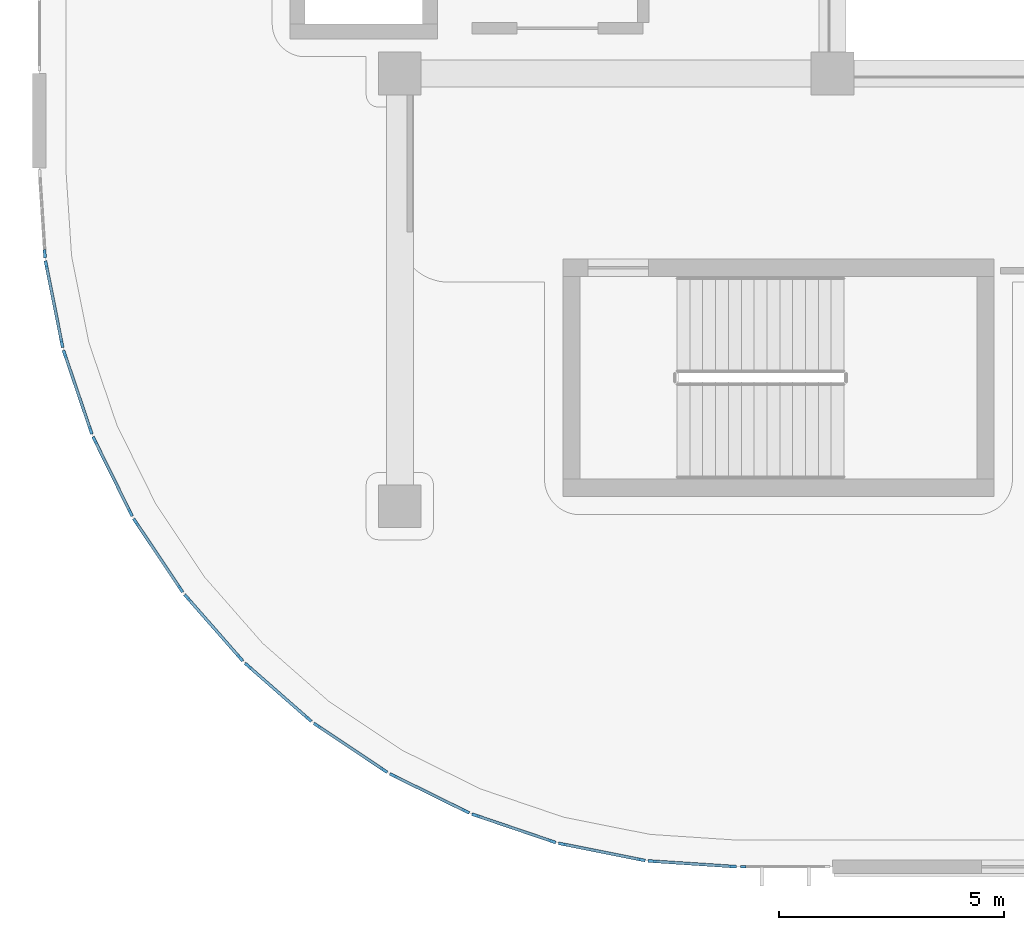
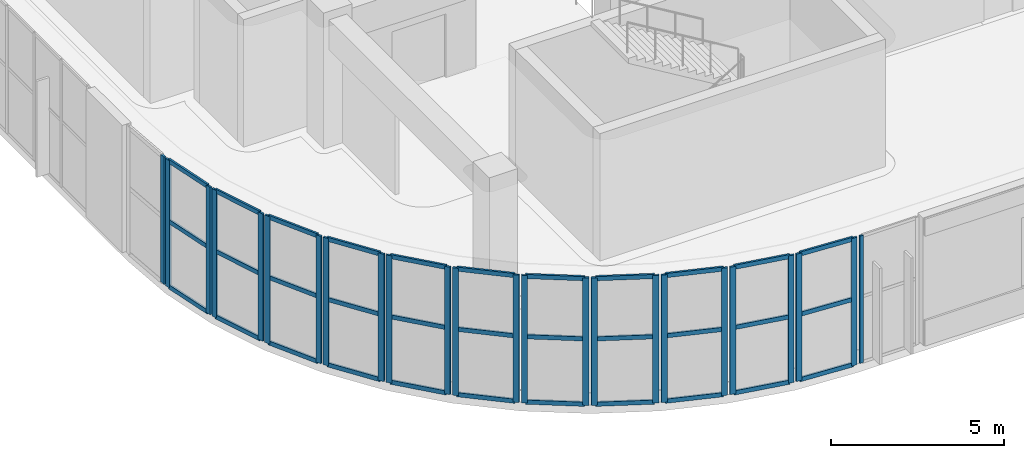
# One storey, part 4 of 86: 57 members, 13 elements without a shape of their own.
"""IFC4 building model written with IfcOpenShell, lengths in metres."""

from ifc_helpers import new_model, si_unit, direction, frame, origin, origin_2d, place, context, subcontext, project, spatial, rectangle, extrude, material, layer, layer_set, material_profile, profile_set, type_object, element, aggregate, save


model = new_model("IFC4")

# Units and contexts
model_context = context("Model", 3, precision=1e-05, world=origin(), true_north=direction((0.0, 1.0)))
body_context = subcontext(model_context, "Body", "Model", "MODEL_VIEW")
ifc_project = project(units=[si_unit("LENGTHUNIT", "METRE"), si_unit("AREAUNIT", "SQUARE_METRE"), si_unit("VOLUMEUNIT", "CUBIC_METRE"), si_unit("PLANEANGLEUNIT", "RADIAN"), si_unit("MASSUNIT", "GRAM", prefix="KILO")], contexts=[model_context])

# Site, building, storey
site_placement = place(None, origin())
site = spatial("IfcSite", under=ifc_project, at=site_placement, CompositionType="ELEMENT")
building_placement = place(site_placement, origin())
building = spatial("IfcBuilding", under=site, at=building_placement, Name="Cendralis Terraced Arcade", CompositionType="ELEMENT")
storey_placement = place(building_placement, frame((0.0, 0.0, 5.39990234375)))
storey = spatial("IfcBuildingStorey", under=building, at=storey_placement, Name="L01", CompositionType="ELEMENT", Elevation=5.39990234375)

# Curtain wall, member
ifc_material = material(Name="Anodised aluminium EN AW-6063 T6", Category="aluminium")
ifc_layer_1 = layer(ifc_material, 0.1201171875, Name="CW-STORE-B")
ifc_layer_set_1 = layer_set([ifc_layer_1], Name="Anodised aluminium EN AW-6063 T6")
curtain_wall_type_1 = type_object("IfcCurtainWallType", Name="CW-STORE-B", PredefinedType="USERDEFINED", material=ifc_layer_set_1)
curtain_wall_1_placement = place(storey_placement, origin())
curtain_wall_1 = element("IfcCurtainWall", 1, at=curtain_wall_1_placement, inside=storey, type_object=curtain_wall_type_1, Name="Exterior Storefront Glazing CW-L01-0095", ObjectType="STOREFRONT GLAZING", PredefinedType="USERDEFINED")
ifc_material_profile_1 = material_profile(ifc_material, rectangle(XDim=0.054931640625, YDim=0.1201171875, at=origin_2d()), Name="ALU-MUL-55x120")
ifc_profile_set_1 = profile_set([ifc_material_profile_1], Name="Anodised aluminium EN AW-6063 T6")
member_type_1 = type_object("IfcMemberType", Name="CW-STORE-B-MUL", PredefinedType="MULLION", material=ifc_profile_set_1)
member_1_placement = place(storey_placement, frame((17.217529296875, 1.60009765625, 0.0), z_axis=(0.0, 0.0, 1.0), x_axis=(0.0, -1.0, 0.0)))
member_1 = element("IfcMember", 2, at=member_1_placement, type_object=member_type_1, Name="CW-S2 mullion 2", PredefinedType="MULLION", context=body_context, shape_type="SweptSolid", body=[
    extrude(rectangle(XDim=0.054931640625, YDim=0.1201171875, at=origin_2d()), origin(), (0.0, 0.0, 1.0), 4.505126953125),
])
aggregate(curtain_wall_1, [member_1])

# Curtain wall, members
ifc_layer_2 = layer(ifc_material, 0.179931640625, Name="CW-UNIT-A")
ifc_layer_set_2 = layer_set([ifc_layer_2], Name="Anodised aluminium EN AW-6063 T6")
curtain_wall_type_2 = type_object("IfcCurtainWallType", Name="CW-UNIT-A", PredefinedType="USERDEFINED", material=ifc_layer_set_2)
curtain_wall_2_placement = place(storey_placement, origin())
curtain_wall_2 = element("IfcCurtainWall", 3, at=curtain_wall_2_placement, inside=storey, type_object=curtain_wall_type_2, Name="Exterior Unitised Facade CW-L01-0096", ObjectType="UNITISED FACADE", PredefinedType="USERDEFINED")
ifc_material_profile_2 = material_profile(ifc_material, rectangle(XDim=0.06494140625, YDim=0.179931640625, at=origin_2d()), Name="ALU-MUL-65x180")
ifc_profile_set_2 = profile_set([ifc_material_profile_2], Name="Anodised aluminium EN AW-6063 T6")
member_type_2 = type_object("IfcMemberType", Name="CW-UNIT-A-MUL", PredefinedType="MULLION", material=ifc_profile_set_2)
member_2_placement = place(storey_placement, frame((16.977783203125, 1.60791015625, 0.0), z_axis=(0.0, 0.0, 1.0), x_axis=(-0.065383766124, -0.997860192175, 0.0)))
member_2 = element("IfcMember", 4, at=member_2_placement, type_object=member_type_2, Name="CW-U1 mullion 1", PredefinedType="MULLION", context=body_context, shape_type="SweptSolid", body=[
    extrude(rectangle(XDim=0.06494140625, YDim=0.179931640625, at=origin_2d()), origin(), (0.0, 0.0, 1.0), 4.505126953125),
])
member_3_placement = place(storey_placement, frame((15.198974609375, 1.724609375, 0.0), z_axis=(0.0, 0.0, 1.0), x_axis=(-0.065383766124, -0.997860192175, 0.0)))
member_3 = element("IfcMember", 5, at=member_3_placement, type_object=member_type_2, Name="CW-U1 mullion 2", PredefinedType="MULLION", context=body_context, shape_type="SweptSolid", body=[
    extrude(rectangle(XDim=0.06494140625, YDim=0.179931640625, at=origin_2d()), origin(), (0.0, 0.0, 1.0), 4.505126953125),
])

curtain_wall_3_placement = place(storey_placement, origin())
curtain_wall_3 = element("IfcCurtainWall", 6, at=curtain_wall_3_placement, inside=storey, type_object=curtain_wall_type_2, Name="Exterior Unitised Facade CW-L01-0097", ObjectType="UNITISED FACADE", PredefinedType="USERDEFINED")
member_4_placement = place(storey_placement, frame((14.95654296875, 1.756591796875, 0.0), z_axis=(0.0, 0.0, 1.0), x_axis=(-0.195033398913, -0.980796601395, 0.0)))
member_4 = element("IfcMember", 7, at=member_4_placement, type_object=member_type_2, Name="CW-U1 mullion 1", PredefinedType="MULLION", context=body_context, shape_type="SweptSolid", body=[
    extrude(rectangle(XDim=0.06494140625, YDim=0.179931640625, at=origin_2d()), origin(), (0.0, 0.0, 1.0), 4.505126953125),
])
member_5_placement = place(storey_placement, frame((13.20849609375, 2.104248046875, 0.0), z_axis=(0.0, 0.0, 1.0), x_axis=(-0.195033398913, -0.980796601395, 0.0)))
member_5 = element("IfcMember", 8, at=member_5_placement, type_object=member_type_2, Name="CW-U1 mullion 2", PredefinedType="MULLION", context=body_context, shape_type="SweptSolid", body=[
    extrude(rectangle(XDim=0.06494140625, YDim=0.179931640625, at=origin_2d()), origin(), (0.0, 0.0, 1.0), 4.505126953125),
])

curtain_wall_4_placement = place(storey_placement, origin())
curtain_wall_4 = element("IfcCurtainWall", 9, at=curtain_wall_4_placement, inside=storey, type_object=curtain_wall_type_2, Name="Exterior Unitised Facade CW-L01-0098", ObjectType="UNITISED FACADE", PredefinedType="USERDEFINED")
member_6_placement = place(storey_placement, frame((12.972412109375, 2.16748046875, 0.0), z_axis=(0.0, 0.0, 1.0), x_axis=(-0.32150002033, -0.946909571674, 0.0)))
member_6 = element("IfcMember", 10, at=member_6_placement, type_object=member_type_2, Name="CW-U1 mullion 1", PredefinedType="MULLION", context=body_context, shape_type="SweptSolid", body=[
    extrude(rectangle(XDim=0.06494140625, YDim=0.179931640625, at=origin_2d()), origin(), (0.0, 0.0, 1.0), 4.505126953125),
])
member_7_placement = place(storey_placement, frame((11.284423828125, 2.740478515625, 0.0), z_axis=(0.0, 0.0, 1.0), x_axis=(-0.32150002033, -0.946909571674, 0.0)))
member_7 = element("IfcMember", 11, at=member_7_placement, type_object=member_type_2, Name="CW-U1 mullion 2", PredefinedType="MULLION", context=body_context, shape_type="SweptSolid", body=[
    extrude(rectangle(XDim=0.06494140625, YDim=0.179931640625, at=origin_2d()), origin(), (0.0, 0.0, 1.0), 4.505126953125),
])

curtain_wall_5_placement = place(storey_placement, origin())
curtain_wall_5 = element("IfcCurtainWall", 12, at=curtain_wall_5_placement, inside=storey, type_object=curtain_wall_type_2, Name="Exterior Unitised Facade CW-L01-0099", ObjectType="UNITISED FACADE", PredefinedType="USERDEFINED")
member_8_placement = place(storey_placement, frame((11.05859375, 2.833984375, 0.0), z_axis=(0.0, 0.0, 1.0), x_axis=(-0.442270416572, -0.896881752867, 0.0)))
member_8 = element("IfcMember", 13, at=member_8_placement, type_object=member_type_2, Name="CW-U1 mullion 1", PredefinedType="MULLION", context=body_context, shape_type="SweptSolid", body=[
    extrude(rectangle(XDim=0.06494140625, YDim=0.179931640625, at=origin_2d()), origin(), (0.0, 0.0, 1.0), 4.505126953125),
])
member_9_placement = place(storey_placement, frame((9.4599609375, 3.622314453125, 0.0), z_axis=(0.0, 0.0, 1.0), x_axis=(-0.442270416572, -0.896881752867, 0.0)))
member_9 = element("IfcMember", 14, at=member_9_placement, type_object=member_type_2, Name="CW-U1 mullion 2", PredefinedType="MULLION", context=body_context, shape_type="SweptSolid", body=[
    extrude(rectangle(XDim=0.06494140625, YDim=0.179931640625, at=origin_2d()), origin(), (0.0, 0.0, 1.0), 4.505126953125),
])

curtain_wall_6_placement = place(storey_placement, origin())
curtain_wall_6 = element("IfcCurtainWall", 15, at=curtain_wall_6_placement, inside=storey, type_object=curtain_wall_type_2, Name="Exterior Unitised Facade CW-L01-0100", ObjectType="UNITISED FACADE", PredefinedType="USERDEFINED")
member_10_placement = place(storey_placement, frame((9.248291015625, 3.74462890625, 0.0), z_axis=(0.0, 0.0, 1.0), x_axis=(-0.555549269065, -0.831483619587, 0.0)))
member_10 = element("IfcMember", 16, at=member_10_placement, type_object=member_type_2, Name="CW-U1 mullion 1", PredefinedType="MULLION", context=body_context, shape_type="SweptSolid", body=[
    extrude(rectangle(XDim=0.06494140625, YDim=0.179931640625, at=origin_2d()), origin(), (0.0, 0.0, 1.0), 4.505126953125),
])
member_11_placement = place(storey_placement, frame((7.76611328125, 4.73486328125, 0.0), z_axis=(0.0, 0.0, 1.0), x_axis=(-0.555549269065, -0.831483619587, 0.0)))
member_11 = element("IfcMember", 17, at=member_11_placement, type_object=member_type_2, Name="CW-U1 mullion 2", PredefinedType="MULLION", context=body_context, shape_type="SweptSolid", body=[
    extrude(rectangle(XDim=0.06494140625, YDim=0.179931640625, at=origin_2d()), origin(), (0.0, 0.0, 1.0), 4.505126953125),
])

curtain_wall_7_placement = place(storey_placement, origin())
curtain_wall_7 = element("IfcCurtainWall", 18, at=curtain_wall_7_placement, inside=storey, type_object=curtain_wall_type_2, Name="Exterior Unitised Facade CW-L01-0101", ObjectType="UNITISED FACADE", PredefinedType="USERDEFINED")
member_12_placement = place(storey_placement, frame((7.572021484375, 4.8837890625, 0.0), z_axis=(0.0, 0.0, 1.0), x_axis=(-0.659370197402, -0.751818424075, 0.0)))
member_12 = element("IfcMember", 19, at=member_12_placement, type_object=member_type_2, Name="CW-U1 mullion 1", PredefinedType="MULLION", context=body_context, shape_type="SweptSolid", body=[
    extrude(rectangle(XDim=0.06494140625, YDim=0.179931640625, at=origin_2d()), origin(), (0.0, 0.0, 1.0), 4.505126953125),
])
member_13_placement = place(storey_placement, frame((6.23193359375, 6.05908203125, 0.0), z_axis=(0.0, 0.0, 1.0), x_axis=(-0.659370197402, -0.751818424075, 0.0)))
member_13 = element("IfcMember", 20, at=member_13_placement, type_object=member_type_2, Name="CW-U1 mullion 2", PredefinedType="MULLION", context=body_context, shape_type="SweptSolid", body=[
    extrude(rectangle(XDim=0.06494140625, YDim=0.179931640625, at=origin_2d()), origin(), (0.0, 0.0, 1.0), 4.505126953125),
])

curtain_wall_8_placement = place(storey_placement, origin())
curtain_wall_8 = element("IfcCurtainWall", 21, at=curtain_wall_8_placement, inside=storey, type_object=curtain_wall_type_2, Name="Exterior Unitised Facade CW-L01-0102", ObjectType="UNITISED FACADE", PredefinedType="USERDEFINED")
member_14_placement = place(storey_placement, frame((6.05908203125, 6.23193359375, 0.0), z_axis=(0.0, 0.0, 1.0), x_axis=(-0.751818424075, -0.659370197402, 0.0)))
member_14 = element("IfcMember", 22, at=member_14_placement, type_object=member_type_2, Name="CW-U1 mullion 1", PredefinedType="MULLION", context=body_context, shape_type="SweptSolid", body=[
    extrude(rectangle(XDim=0.06494140625, YDim=0.179931640625, at=origin_2d()), origin(), (0.0, 0.0, 1.0), 4.505126953125),
])
member_15_placement = place(storey_placement, frame((4.8837890625, 7.572021484375, 0.0), z_axis=(0.0, 0.0, 1.0), x_axis=(-0.751818424075, -0.659370197402, 0.0)))
member_15 = element("IfcMember", 23, at=member_15_placement, type_object=member_type_2, Name="CW-U1 mullion 2", PredefinedType="MULLION", context=body_context, shape_type="SweptSolid", body=[
    extrude(rectangle(XDim=0.06494140625, YDim=0.179931640625, at=origin_2d()), origin(), (0.0, 0.0, 1.0), 4.505126953125),
])

curtain_wall_9_placement = place(storey_placement, origin())
curtain_wall_9 = element("IfcCurtainWall", 24, at=curtain_wall_9_placement, inside=storey, type_object=curtain_wall_type_2, Name="Exterior Unitised Facade CW-L01-0103", ObjectType="UNITISED FACADE", PredefinedType="USERDEFINED")
member_16_placement = place(storey_placement, frame((4.73486328125, 7.76611328125, 0.0), z_axis=(0.0, 0.0, 1.0), x_axis=(-0.831483619587, -0.555549269065, 0.0)))
member_16 = element("IfcMember", 25, at=member_16_placement, type_object=member_type_2, Name="CW-U1 mullion 1", PredefinedType="MULLION", context=body_context, shape_type="SweptSolid", body=[
    extrude(rectangle(XDim=0.06494140625, YDim=0.179931640625, at=origin_2d()), origin(), (0.0, 0.0, 1.0), 4.505126953125),
])
member_17_placement = place(storey_placement, frame((3.74462890625, 9.248291015625, 0.0), z_axis=(0.0, 0.0, 1.0), x_axis=(-0.831483619587, -0.555549269065, 0.0)))
member_17 = element("IfcMember", 26, at=member_17_placement, type_object=member_type_2, Name="CW-U1 mullion 2", PredefinedType="MULLION", context=body_context, shape_type="SweptSolid", body=[
    extrude(rectangle(XDim=0.06494140625, YDim=0.179931640625, at=origin_2d()), origin(), (0.0, 0.0, 1.0), 4.505126953125),
])

curtain_wall_10_placement = place(storey_placement, origin())
curtain_wall_10 = element("IfcCurtainWall", 27, at=curtain_wall_10_placement, inside=storey, type_object=curtain_wall_type_2, Name="Exterior Unitised Facade CW-L01-0104", ObjectType="UNITISED FACADE", PredefinedType="USERDEFINED")
member_18_placement = place(storey_placement, frame((3.622314453125, 9.4599609375, 0.0), z_axis=(0.0, 0.0, 1.0), x_axis=(-0.896881752867, -0.442270416572, 0.0)))
member_18 = element("IfcMember", 28, at=member_18_placement, type_object=member_type_2, Name="CW-U1 mullion 1", PredefinedType="MULLION", context=body_context, shape_type="SweptSolid", body=[
    extrude(rectangle(XDim=0.06494140625, YDim=0.179931640625, at=origin_2d()), origin(), (0.0, 0.0, 1.0), 4.505126953125),
])
member_19_placement = place(storey_placement, frame((2.833984375, 11.05859375, 0.0), z_axis=(0.0, 0.0, 1.0), x_axis=(-0.896881752867, -0.442270416572, 0.0)))
member_19 = element("IfcMember", 29, at=member_19_placement, type_object=member_type_2, Name="CW-U1 mullion 2", PredefinedType="MULLION", context=body_context, shape_type="SweptSolid", body=[
    extrude(rectangle(XDim=0.06494140625, YDim=0.179931640625, at=origin_2d()), origin(), (0.0, 0.0, 1.0), 4.505126953125),
])

curtain_wall_11_placement = place(storey_placement, origin())
curtain_wall_11 = element("IfcCurtainWall", 30, at=curtain_wall_11_placement, inside=storey, type_object=curtain_wall_type_2, Name="Exterior Unitised Facade CW-L01-0105", ObjectType="UNITISED FACADE", PredefinedType="USERDEFINED")
member_20_placement = place(storey_placement, frame((2.740478515625, 11.284423828125, 0.0), z_axis=(0.0, 0.0, 1.0), x_axis=(-0.946909571674, -0.32150002033, 0.0)))
member_20 = element("IfcMember", 31, at=member_20_placement, type_object=member_type_2, Name="CW-U1 mullion 1", PredefinedType="MULLION", context=body_context, shape_type="SweptSolid", body=[
    extrude(rectangle(XDim=0.06494140625, YDim=0.179931640625, at=origin_2d()), origin(), (0.0, 0.0, 1.0), 4.505126953125),
])
member_21_placement = place(storey_placement, frame((2.16748046875, 12.972412109375, 0.0), z_axis=(0.0, 0.0, 1.0), x_axis=(-0.946909571674, -0.32150002033, 0.0)))
member_21 = element("IfcMember", 32, at=member_21_placement, type_object=member_type_2, Name="CW-U1 mullion 2", PredefinedType="MULLION", context=body_context, shape_type="SweptSolid", body=[
    extrude(rectangle(XDim=0.06494140625, YDim=0.179931640625, at=origin_2d()), origin(), (0.0, 0.0, 1.0), 4.505126953125),
])

curtain_wall_12_placement = place(storey_placement, origin())
curtain_wall_12 = element("IfcCurtainWall", 33, at=curtain_wall_12_placement, inside=storey, type_object=curtain_wall_type_2, Name="Exterior Unitised Facade CW-L01-0106", ObjectType="UNITISED FACADE", PredefinedType="USERDEFINED")
member_22_placement = place(storey_placement, frame((2.104248046875, 13.20849609375, 0.0), z_axis=(0.0, 0.0, 1.0), x_axis=(-0.980796601395, -0.195033398913, 0.0)))
member_22 = element("IfcMember", 34, at=member_22_placement, type_object=member_type_2, Name="CW-U1 mullion 1", PredefinedType="MULLION", context=body_context, shape_type="SweptSolid", body=[
    extrude(rectangle(XDim=0.06494140625, YDim=0.179931640625, at=origin_2d()), origin(), (0.0, 0.0, 1.0), 4.505126953125),
])
member_23_placement = place(storey_placement, frame((1.756591796875, 14.95654296875, 0.0), z_axis=(0.0, 0.0, 1.0), x_axis=(-0.980796601395, -0.195033398913, 0.0)))
member_23 = element("IfcMember", 35, at=member_23_placement, type_object=member_type_2, Name="CW-U1 mullion 2", PredefinedType="MULLION", context=body_context, shape_type="SweptSolid", body=[
    extrude(rectangle(XDim=0.06494140625, YDim=0.179931640625, at=origin_2d()), origin(), (0.0, 0.0, 1.0), 4.505126953125),
])

# Curtain wall, member
curtain_wall_13_placement = place(storey_placement, origin())
curtain_wall_13 = element("IfcCurtainWall", 36, at=curtain_wall_13_placement, inside=storey, type_object=curtain_wall_type_2, Name="Exterior Unitised Facade CW-L01-0107", ObjectType="UNITISED FACADE", PredefinedType="USERDEFINED")
member_24_placement = place(storey_placement, frame((1.724609375, 15.198974609375, 0.0), z_axis=(0.0, 0.0, 1.0), x_axis=(-0.997860192175, -0.065383766124, 0.0)))
member_24 = element("IfcMember", 37, at=member_24_placement, type_object=member_type_2, Name="CW-U1 mullion 1", PredefinedType="MULLION", context=body_context, shape_type="SweptSolid", body=[
    extrude(rectangle(XDim=0.06494140625, YDim=0.179931640625, at=origin_2d()), origin(), (0.0, 0.0, 1.0), 4.505126953125),
])
aggregate(curtain_wall_13, [member_24])

# Member
ifc_material_profile_3 = material_profile(ifc_material, rectangle(XDim=0.06494140625, YDim=0.14990234375, at=origin_2d()), Name="ALU-TRN-65x150")
ifc_profile_set_3 = profile_set([ifc_material_profile_3], Name="Anodised aluminium EN AW-6063 T6")
member_type_3 = type_object("IfcMemberType", Name="CW-UNIT-A-TRN", PredefinedType="USERDEFINED", material=ifc_profile_set_3)
member_25_placement = place(storey_placement, frame((16.9453125, 1.610107421875, 0.03271484375), z_axis=(-0.997859990953, 0.065386837014, 0.0), x_axis=(-0.065386837014, -0.997859990953, 0.0)))
member_25 = element("IfcMember", 38, at=member_25_placement, type_object=member_type_3, Name="CW-U1 transom 1.1", ObjectType="TRANSOM", PredefinedType="USERDEFINED", context=body_context, shape_type="SweptSolid", body=[
    extrude(rectangle(XDim=0.06494140625, YDim=0.14990234375, at=origin_2d()), origin(), (0.0, 0.0, 1.0), 1.717529296875),
])

member_26_placement = place(storey_placement, frame((16.9453125, 1.610107421875, 2.3427734375), z_axis=(-0.997859990953, 0.065386837014, 0.0), x_axis=(-0.065386837014, -0.997859990953, 0.0)))
member_26 = element("IfcMember", 39, at=member_26_placement, type_object=member_type_3, Name="CW-U1 transom 1.2", ObjectType="TRANSOM", PredefinedType="USERDEFINED", context=body_context, shape_type="SweptSolid", body=[
    extrude(rectangle(XDim=0.06494140625, YDim=0.14990234375, at=origin_2d()), origin(), (0.0, 0.0, 1.0), 1.717529296875),
])

member_27_placement = place(storey_placement, frame((16.9453125, 1.610107421875, 4.47265625), z_axis=(-0.997859990953, 0.065386837014, 0.0), x_axis=(-0.065386837014, -0.997859990953, 0.0)))
member_27 = element("IfcMember", 40, at=member_27_placement, type_object=member_type_3, Name="CW-U1 transom 1.3", ObjectType="TRANSOM", PredefinedType="USERDEFINED", context=body_context, shape_type="SweptSolid", body=[
    extrude(rectangle(XDim=0.06494140625, YDim=0.14990234375, at=origin_2d()), origin(), (0.0, 0.0, 1.0), 1.717529296875),
])

aggregate(curtain_wall_2, [member_2, member_3, member_25, member_26, member_27])

member_28_placement = place(storey_placement, frame((14.9248046875, 1.762939453125, 0.03271484375), z_axis=(-0.980798750293, 0.195022592087, 0.0), x_axis=(-0.195022592087, -0.980798750293, 0.0)))
member_28 = element("IfcMember", 41, at=member_28_placement, type_object=member_type_3, Name="CW-U1 transom 1.1", ObjectType="TRANSOM", PredefinedType="USERDEFINED", context=body_context, shape_type="SweptSolid", body=[
    extrude(rectangle(XDim=0.06494140625, YDim=0.14990234375, at=origin_2d()), origin(), (0.0, 0.0, 1.0), 1.717529296875),
])

member_29_placement = place(storey_placement, frame((14.9248046875, 1.762939453125, 2.3427734375), z_axis=(-0.980798750293, 0.195022592087, 0.0), x_axis=(-0.195022592087, -0.980798750293, 0.0)))
member_29 = element("IfcMember", 42, at=member_29_placement, type_object=member_type_3, Name="CW-U1 transom 1.2", ObjectType="TRANSOM", PredefinedType="USERDEFINED", context=body_context, shape_type="SweptSolid", body=[
    extrude(rectangle(XDim=0.06494140625, YDim=0.14990234375, at=origin_2d()), origin(), (0.0, 0.0, 1.0), 1.717529296875),
])

member_30_placement = place(storey_placement, frame((14.9248046875, 1.762939453125, 4.47265625), z_axis=(-0.980798750293, 0.195022592087, 0.0), x_axis=(-0.195022592087, -0.980798750293, 0.0)))
member_30 = element("IfcMember", 43, at=member_30_placement, type_object=member_type_3, Name="CW-U1 transom 1.3", ObjectType="TRANSOM", PredefinedType="USERDEFINED", context=body_context, shape_type="SweptSolid", body=[
    extrude(rectangle(XDim=0.06494140625, YDim=0.14990234375, at=origin_2d()), origin(), (0.0, 0.0, 1.0), 1.717529296875),
])

aggregate(curtain_wall_3, [member_4, member_5, member_28, member_29, member_30])

member_31_placement = place(storey_placement, frame((12.941650390625, 2.177978515625, 0.03271484375), z_axis=(-0.946949349367, 0.321382839826, 0.0), x_axis=(-0.321382839826, -0.946949349367, 0.0)))
member_31 = element("IfcMember", 44, at=member_31_placement, type_object=member_type_3, Name="CW-U1 transom 1.1", ObjectType="TRANSOM", PredefinedType="USERDEFINED", context=body_context, shape_type="SweptSolid", body=[
    extrude(rectangle(XDim=0.06494140625, YDim=0.14990234375, at=origin_2d()), origin(), (0.0, 0.0, 1.0), 1.717529296875),
])

member_32_placement = place(storey_placement, frame((12.941650390625, 2.177978515625, 2.3427734375), z_axis=(-0.946949349367, 0.321382839826, 0.0), x_axis=(-0.321382839826, -0.946949349367, 0.0)))
member_32 = element("IfcMember", 45, at=member_32_placement, type_object=member_type_3, Name="CW-U1 transom 1.2", ObjectType="TRANSOM", PredefinedType="USERDEFINED", context=body_context, shape_type="SweptSolid", body=[
    extrude(rectangle(XDim=0.06494140625, YDim=0.14990234375, at=origin_2d()), origin(), (0.0, 0.0, 1.0), 1.717529296875),
])

member_33_placement = place(storey_placement, frame((12.941650390625, 2.177978515625, 4.47265625), z_axis=(-0.946949349367, 0.321382839826, 0.0), x_axis=(-0.321382839826, -0.946949349367, 0.0)))
member_33 = element("IfcMember", 46, at=member_33_placement, type_object=member_type_3, Name="CW-U1 transom 1.3", ObjectType="TRANSOM", PredefinedType="USERDEFINED", context=body_context, shape_type="SweptSolid", body=[
    extrude(rectangle(XDim=0.06494140625, YDim=0.14990234375, at=origin_2d()), origin(), (0.0, 0.0, 1.0), 1.717529296875),
])

aggregate(curtain_wall_4, [member_6, member_7, member_31, member_32, member_33])

member_34_placement = place(storey_placement, frame((11.029296875, 2.848388671875, 0.03271484375), z_axis=(-0.896830699832, 0.442373932141, 0.0), x_axis=(-0.442373932141, -0.896830699832, 0.0)))
member_34 = element("IfcMember", 47, at=member_34_placement, type_object=member_type_3, Name="CW-U1 transom 1.1", ObjectType="TRANSOM", PredefinedType="USERDEFINED", context=body_context, shape_type="SweptSolid", body=[
    extrude(rectangle(XDim=0.06494140625, YDim=0.14990234375, at=origin_2d()), origin(), (0.0, 0.0, 1.0), 1.717529296875),
])

member_35_placement = place(storey_placement, frame((11.029296875, 2.848388671875, 2.3427734375), z_axis=(-0.896830699832, 0.442373932141, 0.0), x_axis=(-0.442373932141, -0.896830699832, 0.0)))
member_35 = element("IfcMember", 48, at=member_35_placement, type_object=member_type_3, Name="CW-U1 transom 1.2", ObjectType="TRANSOM", PredefinedType="USERDEFINED", context=body_context, shape_type="SweptSolid", body=[
    extrude(rectangle(XDim=0.06494140625, YDim=0.14990234375, at=origin_2d()), origin(), (0.0, 0.0, 1.0), 1.717529296875),
])

member_36_placement = place(storey_placement, frame((11.029296875, 2.848388671875, 4.47265625), z_axis=(-0.896830699832, 0.442373932141, 0.0), x_axis=(-0.442373932141, -0.896830699832, 0.0)))
member_36 = element("IfcMember", 49, at=member_36_placement, type_object=member_type_3, Name="CW-U1 transom 1.3", ObjectType="TRANSOM", PredefinedType="USERDEFINED", context=body_context, shape_type="SweptSolid", body=[
    extrude(rectangle(XDim=0.06494140625, YDim=0.14990234375, at=origin_2d()), origin(), (0.0, 0.0, 1.0), 1.717529296875),
])

aggregate(curtain_wall_5, [member_8, member_9, member_34, member_35, member_36])

member_37_placement = place(storey_placement, frame((9.22119140625, 3.7626953125, 0.03271484375), z_axis=(-0.831525093452, 0.555487190635, 0.0), x_axis=(-0.555487190635, -0.831525093452, 0.0)))
member_37 = element("IfcMember", 50, at=member_37_placement, type_object=member_type_3, Name="CW-U1 transom 1.1", ObjectType="TRANSOM", PredefinedType="USERDEFINED", context=body_context, shape_type="SweptSolid", body=[
    extrude(rectangle(XDim=0.06494140625, YDim=0.14990234375, at=origin_2d()), origin(), (0.0, 0.0, 1.0), 1.717529296875),
])

member_38_placement = place(storey_placement, frame((9.22119140625, 3.7626953125, 2.3427734375), z_axis=(-0.831525093452, 0.555487190635, 0.0), x_axis=(-0.555487190635, -0.831525093452, 0.0)))
member_38 = element("IfcMember", 51, at=member_38_placement, type_object=member_type_3, Name="CW-U1 transom 1.2", ObjectType="TRANSOM", PredefinedType="USERDEFINED", context=body_context, shape_type="SweptSolid", body=[
    extrude(rectangle(XDim=0.06494140625, YDim=0.14990234375, at=origin_2d()), origin(), (0.0, 0.0, 1.0), 1.717529296875),
])

member_39_placement = place(storey_placement, frame((9.22119140625, 3.7626953125, 4.47265625), z_axis=(-0.831525093452, 0.555487190635, 0.0), x_axis=(-0.555487190635, -0.831525093452, 0.0)))
member_39 = element("IfcMember", 52, at=member_39_placement, type_object=member_type_3, Name="CW-U1 transom 1.3", ObjectType="TRANSOM", PredefinedType="USERDEFINED", context=body_context, shape_type="SweptSolid", body=[
    extrude(rectangle(XDim=0.06494140625, YDim=0.14990234375, at=origin_2d()), origin(), (0.0, 0.0, 1.0), 1.717529296875),
])

aggregate(curtain_wall_6, [member_10, member_11, member_37, member_38, member_39])

member_40_placement = place(storey_placement, frame((7.547607421875, 4.9052734375, 0.03271484375), z_axis=(-0.751862957279, 0.659319416877, 0.0), x_axis=(-0.659319416877, -0.751862957279, 0.0)))
member_40 = element("IfcMember", 53, at=member_40_placement, type_object=member_type_3, Name="CW-U1 transom 1.1", ObjectType="TRANSOM", PredefinedType="USERDEFINED", context=body_context, shape_type="SweptSolid", body=[
    extrude(rectangle(XDim=0.06494140625, YDim=0.14990234375, at=origin_2d()), origin(), (0.0, 0.0, 1.0), 1.717529296875),
])

member_41_placement = place(storey_placement, frame((7.547607421875, 4.9052734375, 2.3427734375), z_axis=(-0.751862957279, 0.659319416877, 0.0), x_axis=(-0.659319416877, -0.751862957279, 0.0)))
member_41 = element("IfcMember", 54, at=member_41_placement, type_object=member_type_3, Name="CW-U1 transom 1.2", ObjectType="TRANSOM", PredefinedType="USERDEFINED", context=body_context, shape_type="SweptSolid", body=[
    extrude(rectangle(XDim=0.06494140625, YDim=0.14990234375, at=origin_2d()), origin(), (0.0, 0.0, 1.0), 1.717529296875),
])

member_42_placement = place(storey_placement, frame((7.547607421875, 4.9052734375, 4.47265625), z_axis=(-0.751862957279, 0.659319416877, 0.0), x_axis=(-0.659319416877, -0.751862957279, 0.0)))
member_42 = element("IfcMember", 55, at=member_42_placement, type_object=member_type_3, Name="CW-U1 transom 1.3", ObjectType="TRANSOM", PredefinedType="USERDEFINED", context=body_context, shape_type="SweptSolid", body=[
    extrude(rectangle(XDim=0.06494140625, YDim=0.14990234375, at=origin_2d()), origin(), (0.0, 0.0, 1.0), 1.717529296875),
])

aggregate(curtain_wall_7, [member_12, member_13, member_40, member_41, member_42])

member_43_placement = place(storey_placement, frame((6.03759765625, 6.25634765625, 0.03271484375), z_axis=(-0.659319416877, 0.751862957279, 0.0), x_axis=(-0.751862957279, -0.659319416877, 0.0)))
member_43 = element("IfcMember", 56, at=member_43_placement, type_object=member_type_3, Name="CW-U1 transom 1.1", ObjectType="TRANSOM", PredefinedType="USERDEFINED", context=body_context, shape_type="SweptSolid", body=[
    extrude(rectangle(XDim=0.06494140625, YDim=0.14990234375, at=origin_2d()), origin(), (0.0, 0.0, 1.0), 1.717529296875),
])

member_44_placement = place(storey_placement, frame((6.03759765625, 6.25634765625, 2.3427734375), z_axis=(-0.659319416877, 0.751862957279, 0.0), x_axis=(-0.751862957279, -0.659319416877, 0.0)))
member_44 = element("IfcMember", 57, at=member_44_placement, type_object=member_type_3, Name="CW-U1 transom 1.2", ObjectType="TRANSOM", PredefinedType="USERDEFINED", context=body_context, shape_type="SweptSolid", body=[
    extrude(rectangle(XDim=0.06494140625, YDim=0.14990234375, at=origin_2d()), origin(), (0.0, 0.0, 1.0), 1.717529296875),
])

member_45_placement = place(storey_placement, frame((6.03759765625, 6.25634765625, 4.47265625), z_axis=(-0.659319416877, 0.751862957279, 0.0), x_axis=(-0.751862957279, -0.659319416877, 0.0)))
member_45 = element("IfcMember", 58, at=member_45_placement, type_object=member_type_3, Name="CW-U1 transom 1.3", ObjectType="TRANSOM", PredefinedType="USERDEFINED", context=body_context, shape_type="SweptSolid", body=[
    extrude(rectangle(XDim=0.06494140625, YDim=0.14990234375, at=origin_2d()), origin(), (0.0, 0.0, 1.0), 1.717529296875),
])

aggregate(curtain_wall_8, [member_14, member_15, member_43, member_44, member_45])

member_46_placement = place(storey_placement, frame((4.716796875, 7.79296875, 0.03271484375), z_axis=(-0.555487190635, 0.831525093452, 0.0), x_axis=(-0.831525093452, -0.555487190635, 0.0)))
member_46 = element("IfcMember", 59, at=member_46_placement, type_object=member_type_3, Name="CW-U1 transom 1.1", ObjectType="TRANSOM", PredefinedType="USERDEFINED", context=body_context, shape_type="SweptSolid", body=[
    extrude(rectangle(XDim=0.06494140625, YDim=0.14990234375, at=origin_2d()), origin(), (0.0, 0.0, 1.0), 1.717529296875),
])

member_47_placement = place(storey_placement, frame((4.716796875, 7.79296875, 2.3427734375), z_axis=(-0.555487190635, 0.831525093452, 0.0), x_axis=(-0.831525093452, -0.555487190635, 0.0)))
member_47 = element("IfcMember", 60, at=member_47_placement, type_object=member_type_3, Name="CW-U1 transom 1.2", ObjectType="TRANSOM", PredefinedType="USERDEFINED", context=body_context, shape_type="SweptSolid", body=[
    extrude(rectangle(XDim=0.06494140625, YDim=0.14990234375, at=origin_2d()), origin(), (0.0, 0.0, 1.0), 1.717529296875),
])

member_48_placement = place(storey_placement, frame((4.716796875, 7.79296875, 4.47265625), z_axis=(-0.555487190635, 0.831525093452, 0.0), x_axis=(-0.831525093452, -0.555487190635, 0.0)))
member_48 = element("IfcMember", 61, at=member_48_placement, type_object=member_type_3, Name="CW-U1 transom 1.3", ObjectType="TRANSOM", PredefinedType="USERDEFINED", context=body_context, shape_type="SweptSolid", body=[
    extrude(rectangle(XDim=0.06494140625, YDim=0.14990234375, at=origin_2d()), origin(), (0.0, 0.0, 1.0), 1.717529296875),
])

aggregate(curtain_wall_9, [member_16, member_17, member_46, member_47, member_48])

member_49_placement = place(storey_placement, frame((3.608154296875, 9.489013671875, 0.03271484375), z_axis=(-0.442373932141, 0.896830699832, 0.0), x_axis=(-0.896830699832, -0.442373932141, 0.0)))
member_49 = element("IfcMember", 62, at=member_49_placement, type_object=member_type_3, Name="CW-U1 transom 1.1", ObjectType="TRANSOM", PredefinedType="USERDEFINED", context=body_context, shape_type="SweptSolid", body=[
    extrude(rectangle(XDim=0.06494140625, YDim=0.14990234375, at=origin_2d()), origin(), (0.0, 0.0, 1.0), 1.717529296875),
])

member_50_placement = place(storey_placement, frame((3.608154296875, 9.489013671875, 2.3427734375), z_axis=(-0.442373932141, 0.896830699832, 0.0), x_axis=(-0.896830699832, -0.442373932141, 0.0)))
member_50 = element("IfcMember", 63, at=member_50_placement, type_object=member_type_3, Name="CW-U1 transom 1.2", ObjectType="TRANSOM", PredefinedType="USERDEFINED", context=body_context, shape_type="SweptSolid", body=[
    extrude(rectangle(XDim=0.06494140625, YDim=0.14990234375, at=origin_2d()), origin(), (0.0, 0.0, 1.0), 1.717529296875),
])

member_51_placement = place(storey_placement, frame((3.608154296875, 9.489013671875, 4.47265625), z_axis=(-0.442373932141, 0.896830699832, 0.0), x_axis=(-0.896830699832, -0.442373932141, 0.0)))
member_51 = element("IfcMember", 64, at=member_51_placement, type_object=member_type_3, Name="CW-U1 transom 1.3", ObjectType="TRANSOM", PredefinedType="USERDEFINED", context=body_context, shape_type="SweptSolid", body=[
    extrude(rectangle(XDim=0.06494140625, YDim=0.14990234375, at=origin_2d()), origin(), (0.0, 0.0, 1.0), 1.717529296875),
])

aggregate(curtain_wall_10, [member_18, member_19, member_49, member_50, member_51])

member_52_placement = place(storey_placement, frame((2.72998046875, 11.315185546875, 0.03271484375), z_axis=(-0.321382839826, 0.946949349367, 0.0), x_axis=(-0.946949349367, -0.321382839826, 0.0)))
member_52 = element("IfcMember", 65, at=member_52_placement, type_object=member_type_3, Name="CW-U1 transom 1.1", ObjectType="TRANSOM", PredefinedType="USERDEFINED", context=body_context, shape_type="SweptSolid", body=[
    extrude(rectangle(XDim=0.06494140625, YDim=0.14990234375, at=origin_2d()), origin(), (0.0, 0.0, 1.0), 1.717529296875),
])

member_53_placement = place(storey_placement, frame((2.72998046875, 11.315185546875, 2.3427734375), z_axis=(-0.321382839826, 0.946949349367, 0.0), x_axis=(-0.946949349367, -0.321382839826, 0.0)))
member_53 = element("IfcMember", 66, at=member_53_placement, type_object=member_type_3, Name="CW-U1 transom 1.2", ObjectType="TRANSOM", PredefinedType="USERDEFINED", context=body_context, shape_type="SweptSolid", body=[
    extrude(rectangle(XDim=0.06494140625, YDim=0.14990234375, at=origin_2d()), origin(), (0.0, 0.0, 1.0), 1.717529296875),
])

member_54_placement = place(storey_placement, frame((2.72998046875, 11.315185546875, 4.47265625), z_axis=(-0.321382839826, 0.946949349367, 0.0), x_axis=(-0.946949349367, -0.321382839826, 0.0)))
member_54 = element("IfcMember", 67, at=member_54_placement, type_object=member_type_3, Name="CW-U1 transom 1.3", ObjectType="TRANSOM", PredefinedType="USERDEFINED", context=body_context, shape_type="SweptSolid", body=[
    extrude(rectangle(XDim=0.06494140625, YDim=0.14990234375, at=origin_2d()), origin(), (0.0, 0.0, 1.0), 1.717529296875),
])

aggregate(curtain_wall_11, [member_20, member_21, member_52, member_53, member_54])

member_55_placement = place(storey_placement, frame((2.097900390625, 13.240234375, 0.03271484375), z_axis=(-0.195022592087, 0.980798750293, 0.0), x_axis=(-0.980798750293, -0.195022592087, 0.0)))
member_55 = element("IfcMember", 68, at=member_55_placement, type_object=member_type_3, Name="CW-U1 transom 1.1", ObjectType="TRANSOM", PredefinedType="USERDEFINED", context=body_context, shape_type="SweptSolid", body=[
    extrude(rectangle(XDim=0.06494140625, YDim=0.14990234375, at=origin_2d()), origin(), (0.0, 0.0, 1.0), 1.717529296875),
])

member_56_placement = place(storey_placement, frame((2.097900390625, 13.240234375, 2.3427734375), z_axis=(-0.195022592087, 0.980798750293, 0.0), x_axis=(-0.980798750293, -0.195022592087, 0.0)))
member_56 = element("IfcMember", 69, at=member_56_placement, type_object=member_type_3, Name="CW-U1 transom 1.2", ObjectType="TRANSOM", PredefinedType="USERDEFINED", context=body_context, shape_type="SweptSolid", body=[
    extrude(rectangle(XDim=0.06494140625, YDim=0.14990234375, at=origin_2d()), origin(), (0.0, 0.0, 1.0), 1.717529296875),
])

member_57_placement = place(storey_placement, frame((2.097900390625, 13.240234375, 4.47265625), z_axis=(-0.195022592087, 0.980798750293, 0.0), x_axis=(-0.980798750293, -0.195022592087, 0.0)))
member_57 = element("IfcMember", 70, at=member_57_placement, type_object=member_type_3, Name="CW-U1 transom 1.3", ObjectType="TRANSOM", PredefinedType="USERDEFINED", context=body_context, shape_type="SweptSolid", body=[
    extrude(rectangle(XDim=0.06494140625, YDim=0.14990234375, at=origin_2d()), origin(), (0.0, 0.0, 1.0), 1.717529296875),
])

aggregate(curtain_wall_12, [member_22, member_23, member_55, member_56, member_57])

save(model, "model.ifc")
